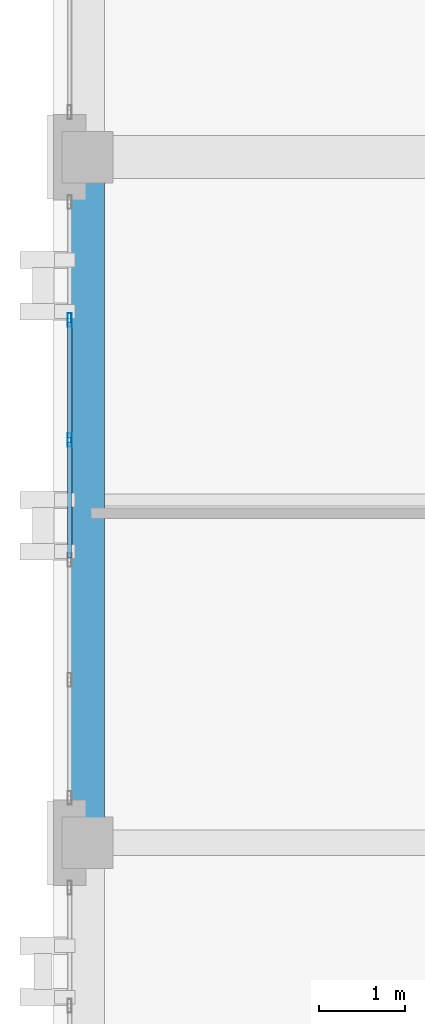
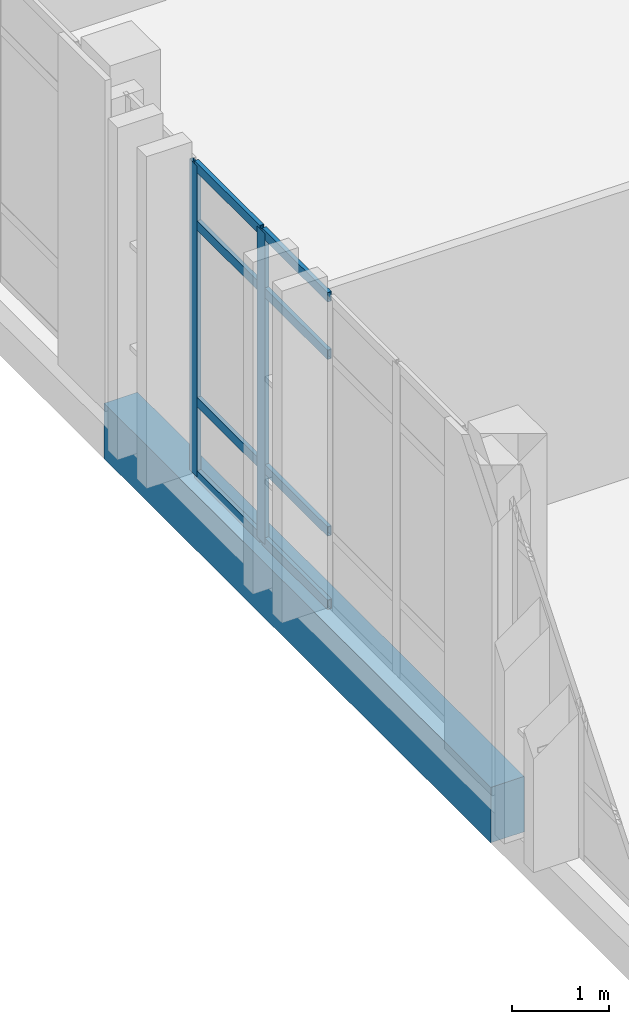
# One storey, part 13 of 90: 10 members, 1 beam, 1 element without a shape of its own.
"""IFC4 building model written with IfcOpenShell, lengths in metres."""

from ifc_helpers import new_model, si_unit, direction, frame, origin, origin_2d, place, context, subcontext, project, spatial, rectangle, hollow_rectangle, extrude, material, layer, layer_set, material_profile, profile_set, type_object, element, aggregate, save


model = new_model("IFC4")

# Units and contexts
model_context = context("Model", 3, precision=1e-05, world=origin(), true_north=direction((0.0, 1.0)))
body_context = subcontext(model_context, "Body", "Model", "MODEL_VIEW")
ifc_project = project(units=[si_unit("LENGTHUNIT", "METRE"), si_unit("AREAUNIT", "SQUARE_METRE"), si_unit("VOLUMEUNIT", "CUBIC_METRE"), si_unit("PLANEANGLEUNIT", "RADIAN"), si_unit("MASSUNIT", "GRAM", prefix="KILO")], contexts=[model_context])

# Site, building, storey
site_placement = place(None, origin())
site = spatial("IfcSite", under=ifc_project, at=site_placement, CompositionType="ELEMENT")
building_placement = place(site_placement, origin())
building = spatial("IfcBuilding", under=site, at=building_placement, Name="Qalavern Law Courts", CompositionType="ELEMENT")
storey_placement = place(building_placement, frame((0.0, 0.0, 22.800048828125)))
storey = spatial("IfcBuildingStorey", under=building, at=storey_placement, Name="L05", CompositionType="ELEMENT", Elevation=22.800048828125)

# Curtain wall, members
ifc_material_1 = material(Name="Anodised aluminium and insulated glazing", Category="aluminium")
ifc_layer = layer(ifc_material_1, 0.159912109375)
ifc_layer_set = layer_set([ifc_layer], Name="Anodised aluminium and insulated glazing")
curtain_wall_type = type_object("IfcCurtainWallType", Name="ENV-CW-CHAMB", PredefinedType="USERDEFINED", material=ifc_layer_set)
curtain_wall_placement = place(storey_placement, origin())
curtain_wall = element("IfcCurtainWall", 1, at=curtain_wall_placement, inside=storey, type_object=curtain_wall_type, Name="V3 unitised curtain wall L05 west 4", ObjectType="UNITISED CURTAIN WALL", PredefinedType="USERDEFINED")
ifc_material_2 = material(Name="Anodised aluminium", Category="aluminium")
ifc_material_profile_1 = material_profile(ifc_material_2, hollow_rectangle(XDim=0.048095703125, YDim=0.159912109375, WallThickness=0.00390625, at=origin_2d()), Name="ALU MULLION 48x160")
ifc_profile_set_1 = profile_set([ifc_material_profile_1], Name="Anodised aluminium")
member_type_1 = type_object("IfcMemberType", Name="ENV-CWM-48x160", PredefinedType="MULLION", material=ifc_profile_set_1)
member_1_placement = place(storey_placement, frame((2.1923828125, 71.5, 0.0), z_axis=(0.0, 0.0, 1.0), x_axis=(1.0, 0.0, 0.0)))
member_1 = element("IfcMember", 2, at=member_1_placement, type_object=member_type_1, Name="CW-04 mullion 2", PredefinedType="MULLION", context=body_context, shape_type="SweptSolid", body=[
    extrude(hollow_rectangle(XDim=0.048095703125, YDim=0.159912109375, WallThickness=0.00390625, at=origin_2d()), origin(), (0.0, 0.0, 1.0), 3.929931640625),
])
member_2_placement = place(storey_placement, frame((2.1923828125, 70.10009765625, 0.0), z_axis=(0.0, 0.0, 1.0), x_axis=(1.0, 0.0, 0.0)))
member_2 = element("IfcMember", 3, at=member_2_placement, type_object=member_type_1, Name="CW-04 mullion 3", PredefinedType="MULLION", context=body_context, shape_type="SweptSolid", body=[
    extrude(hollow_rectangle(XDim=0.048095703125, YDim=0.159912109375, WallThickness=0.00390625, at=origin_2d()), origin(), (0.0, 0.0, 1.0), 3.929931640625),
])
ifc_material_profile_2 = material_profile(ifc_material_2, hollow_rectangle(XDim=0.048095703125, YDim=0.1201171875, WallThickness=0.00390625, at=origin_2d()), Name="ALU TRANSOM 48x120")
ifc_profile_set_2 = profile_set([ifc_material_profile_2], Name="Anodised aluminium")
member_type_2 = type_object("IfcMemberType", Name="ENV-CWT-48x120", PredefinedType="USERDEFINED", material=ifc_profile_set_2)
member_3_placement = place(storey_placement, frame((2.1923828125, 71.47607421875, 0.02392578125), z_axis=(0.0, -1.0, 0.0), x_axis=(1.0, 0.0, 0.0)))
member_3 = element("IfcMember", 4, at=member_3_placement, type_object=member_type_2, Name="CW-04 transom 2.1", ObjectType="TRANSOM", PredefinedType="USERDEFINED", context=body_context, shape_type="SweptSolid", body=[
    extrude(hollow_rectangle(XDim=0.048095703125, YDim=0.1201171875, WallThickness=0.00390625, at=origin_2d()), origin(), (0.0, 0.0, 1.0), 1.35205078125),
])
member_4_placement = place(storey_placement, frame((2.1923828125, 71.47607421875, 0.949951171875), z_axis=(0.0, -1.0, 0.0), x_axis=(1.0, 0.0, 0.0)))
member_4 = element("IfcMember", 5, at=member_4_placement, type_object=member_type_2, Name="CW-04 transom 2.2", ObjectType="TRANSOM", PredefinedType="USERDEFINED", context=body_context, shape_type="SweptSolid", body=[
    extrude(hollow_rectangle(XDim=0.048095703125, YDim=0.1201171875, WallThickness=0.00390625, at=origin_2d()), origin(), (0.0, 0.0, 1.0), 1.35205078125),
])
member_5_placement = place(storey_placement, frame((2.1923828125, 71.47607421875, 3.179931640625), z_axis=(0.0, -1.0, 0.0), x_axis=(1.0, 0.0, 0.0)))
member_5 = element("IfcMember", 6, at=member_5_placement, type_object=member_type_2, Name="CW-04 transom 2.3", ObjectType="TRANSOM", PredefinedType="USERDEFINED", context=body_context, shape_type="SweptSolid", body=[
    extrude(hollow_rectangle(XDim=0.048095703125, YDim=0.1201171875, WallThickness=0.00390625, at=origin_2d()), origin(), (0.0, 0.0, 1.0), 1.35205078125),
])
member_6_placement = place(storey_placement, frame((2.1923828125, 71.47607421875, 3.906005859375), z_axis=(0.0, -1.0, 0.0), x_axis=(1.0, 0.0, 0.0)))
member_6 = element("IfcMember", 7, at=member_6_placement, type_object=member_type_2, Name="CW-04 transom 2.4", ObjectType="TRANSOM", PredefinedType="USERDEFINED", context=body_context, shape_type="SweptSolid", body=[
    extrude(hollow_rectangle(XDim=0.048095703125, YDim=0.1201171875, WallThickness=0.00390625, at=origin_2d()), origin(), (0.0, 0.0, 1.0), 1.35205078125),
])
member_7_placement = place(storey_placement, frame((2.1923828125, 70.075927734375, 0.02392578125), z_axis=(0.0, -1.0, 0.0), x_axis=(1.0, 0.0, 0.0)))
member_7 = element("IfcMember", 8, at=member_7_placement, type_object=member_type_2, Name="CW-04 transom 3.1", ObjectType="TRANSOM", PredefinedType="USERDEFINED", context=body_context, shape_type="SweptSolid", body=[
    extrude(hollow_rectangle(XDim=0.048095703125, YDim=0.1201171875, WallThickness=0.00390625, at=origin_2d()), origin(), (0.0, 0.0, 1.0), 1.351806640625),
])
member_8_placement = place(storey_placement, frame((2.1923828125, 70.075927734375, 0.949951171875), z_axis=(0.0, -1.0, 0.0), x_axis=(1.0, 0.0, 0.0)))
member_8 = element("IfcMember", 9, at=member_8_placement, type_object=member_type_2, Name="CW-04 transom 3.2", ObjectType="TRANSOM", PredefinedType="USERDEFINED", context=body_context, shape_type="SweptSolid", body=[
    extrude(hollow_rectangle(XDim=0.048095703125, YDim=0.1201171875, WallThickness=0.00390625, at=origin_2d()), origin(), (0.0, 0.0, 1.0), 1.351806640625),
])
member_9_placement = place(storey_placement, frame((2.1923828125, 70.075927734375, 3.179931640625), z_axis=(0.0, -1.0, 0.0), x_axis=(1.0, 0.0, 0.0)))
member_9 = element("IfcMember", 10, at=member_9_placement, type_object=member_type_2, Name="CW-04 transom 3.3", ObjectType="TRANSOM", PredefinedType="USERDEFINED", context=body_context, shape_type="SweptSolid", body=[
    extrude(hollow_rectangle(XDim=0.048095703125, YDim=0.1201171875, WallThickness=0.00390625, at=origin_2d()), origin(), (0.0, 0.0, 1.0), 1.351806640625),
])
member_10_placement = place(storey_placement, frame((2.1923828125, 70.075927734375, 3.906005859375), z_axis=(0.0, -1.0, 0.0), x_axis=(1.0, 0.0, 0.0)))
member_10 = element("IfcMember", 11, at=member_10_placement, type_object=member_type_2, Name="CW-04 transom 3.4", ObjectType="TRANSOM", PredefinedType="USERDEFINED", context=body_context, shape_type="SweptSolid", body=[
    extrude(hollow_rectangle(XDim=0.048095703125, YDim=0.1201171875, WallThickness=0.00390625, at=origin_2d()), origin(), (0.0, 0.0, 1.0), 1.351806640625),
])
aggregate(curtain_wall, [member_1, member_2, member_3, member_4, member_5, member_6, member_7, member_8, member_9, member_10])

# Beam
ifc_material_3 = material(Name="Concrete C40/50", Category="concrete")
ifc_material_profile_3 = material_profile(ifc_material_3, rectangle(XDim=0.39990234375, YDim=0.699951171875, at=origin_2d()), Name="RC 400x700")
ifc_profile_set_3 = profile_set([ifc_material_profile_3], Name="Concrete C40/50")
beam_type = type_object("IfcBeamType", Name="STR-SP-RC400x700", PredefinedType="SPANDREL", material=ifc_profile_set_3)
beam_placement = place(storey_placement, frame((2.39990234375, 65.39990234375, -0.625), z_axis=(0.0, 1.0, 0.0), x_axis=(-1.0, 0.0, 0.0)))
element("IfcBeam", 12, at=beam_placement, inside=storey, type_object=beam_type, Name="V3 Y-beam 1-4 L05", PredefinedType="SPANDREL", context=body_context, shape_type="SweptSolid", body=[
    extrude(rectangle(XDim=0.39990234375, YDim=0.699951171875, at=origin_2d()), origin(), (0.0, 0.0, 1.0), 8.0),
])

save(model, "model.ifc")
